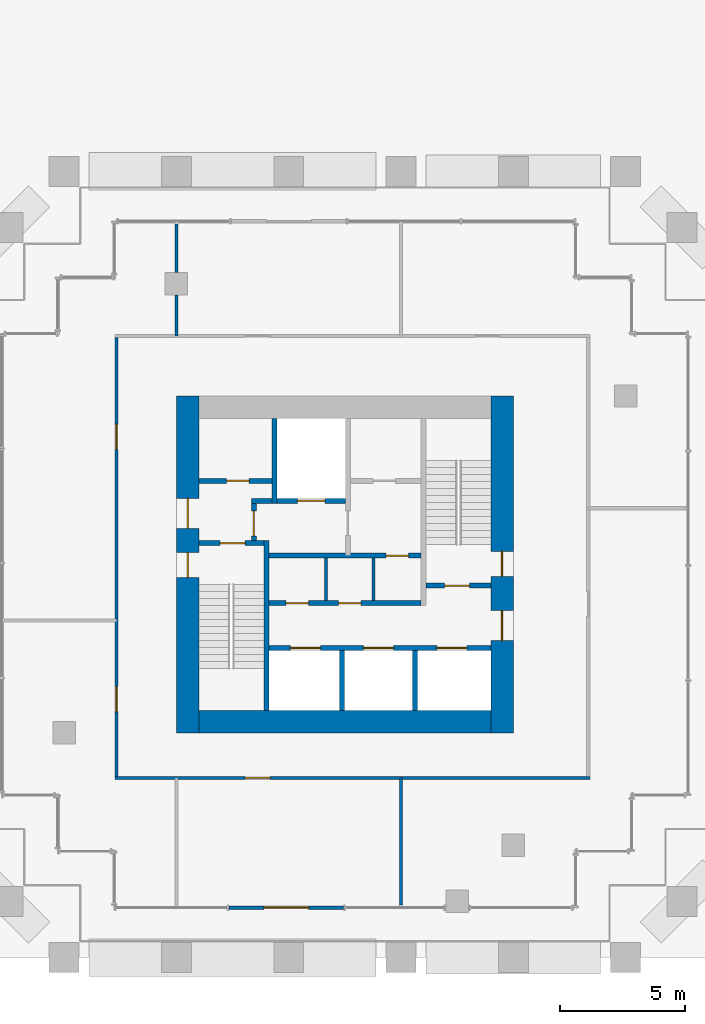
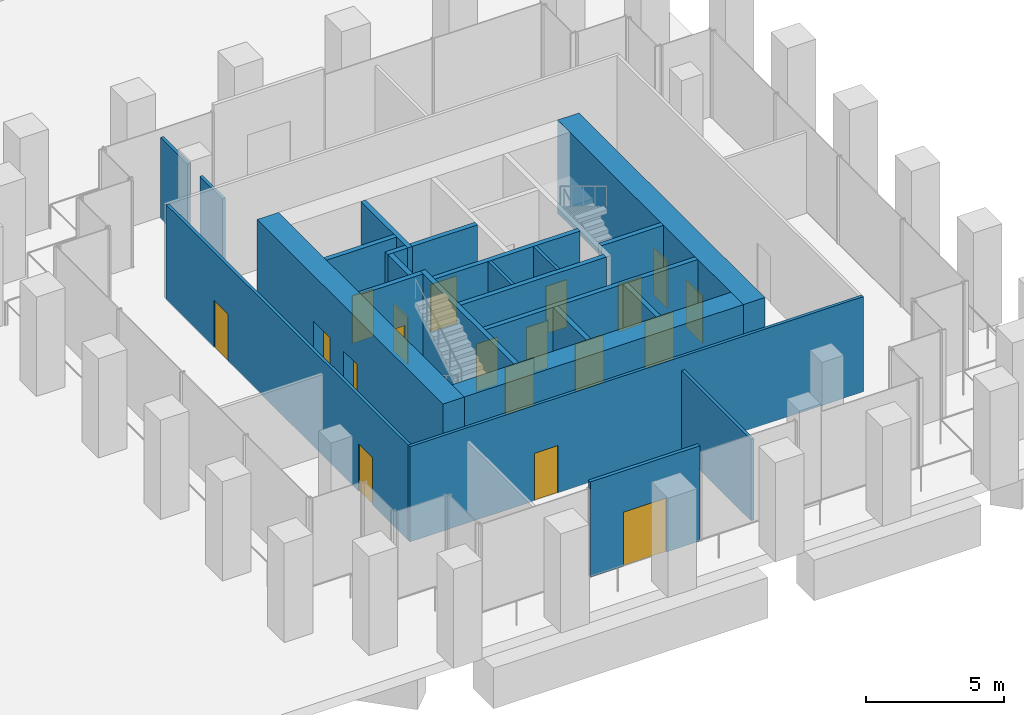
# One storey, part 28 of 32: 24 walls, 19 doors, 19 openings.
"""IFC4 building model written with IfcOpenShell, lengths in metres."""

from ifc_helpers import new_model, si_unit, direction, frame, frame_2d, origin, place, context, subcontext, project, spatial, rectangle, extrude, material, layer, layer_set, type_object, element, fill, save


model = new_model("IFC4")

# Units and contexts
model_context = context("Model", 3, precision=1e-05, world=origin(), true_north=direction((0.0, 1.0)))
body_context = subcontext(model_context, "Body", "Model", "MODEL_VIEW")
ifc_project = project(units=[si_unit("LENGTHUNIT", "METRE"), si_unit("AREAUNIT", "SQUARE_METRE"), si_unit("VOLUMEUNIT", "CUBIC_METRE"), si_unit("PLANEANGLEUNIT", "RADIAN"), si_unit("MASSUNIT", "GRAM", prefix="KILO")], contexts=[model_context])

# Site, building, storey
site_placement = place(None, origin())
site = spatial("IfcSite", under=ifc_project, at=site_placement, CompositionType="ELEMENT")
building_placement = place(site_placement, origin())
building = spatial("IfcBuilding", under=site, at=building_placement, Name="Altepetl Exchange Towers", CompositionType="ELEMENT")
storey_placement = place(building_placement, frame((0.0, 0.0, 21.0)))
storey = spatial("IfcBuildingStorey", under=building, at=storey_placement, Name="L04", CompositionType="ELEMENT", Elevation=21.0)

# Wall, openings, doors
ifc_material_1 = material(Name="Concrete C70/85", Category="concrete")
ifc_layer_1 = layer(ifc_material_1, 0.89990234375)
ifc_layer_set_1 = layer_set([ifc_layer_1], Name="Concrete C70/85")
wall_type_1 = type_object("IfcWallType", Name="Core wall 900 reinforced concrete", PredefinedType="SHEAR", material=ifc_layer_set_1)
wall_1_placement = place(storey_placement, frame((116.550048828125, 36.0, 0.0), z_axis=(0.0, 0.0, 1.0), x_axis=(0.0, 1.0, 0.0)))
wall_1 = element("IfcWall", 1, at=wall_1_placement, inside=storey, type_object=wall_type_1, Name="wall:B:L04:K-coreE", PredefinedType="SHEAR", context=body_context, shape_type="SweptSolid", body=[
    extrude(rectangle(XDim=13.5, YDim=0.89990234375, at=frame_2d((6.75, 0.0))), origin(), (0.0, 0.0, 1.0), 4.125),
])
opening_1_placement = place(wall_1_placement, frame((3.699951171875, 0.0, 0.0)))
opening_1 = element("IfcOpeningElement", 2, at=opening_1_placement, cuts=wall_1, Name="Opening L04.B61", PredefinedType="OPENING", context=body_context, shape_type="SweptSolid", body=[
    extrude(rectangle(XDim=1.199951171875, YDim=2.10009765625, at=frame_2d((0.60009765625, 1.050048828125))), frame((0.0, 0.4599609375, 0.0), z_axis=(0.0, -1.0, 0.0), x_axis=(1.0, 0.0, 0.0)), (0.0, 0.0, 1.0), 0.919921875),
])
opening_2_placement = place(wall_1_placement, frame((6.27490234375, 0.0, 0.0)))
opening_2 = element("IfcOpeningElement", 3, at=opening_2_placement, cuts=wall_1, Name="Opening L04.B65", PredefinedType="OPENING", context=body_context, shape_type="SweptSolid", body=[
    extrude(rectangle(XDim=1.0, YDim=2.10009765625, at=frame_2d((0.5, 1.050048828125))), frame((0.0, 0.4599609375, 0.0), z_axis=(0.0, -1.0, 0.0), x_axis=(1.0, 0.0, 0.0)), (0.0, 0.0, 1.0), 0.919921875),
])
ifc_material_2 = material(Name="Steel and timber fire door", Category="steel")
door_type_1 = type_object("IfcDoorType", Name="Fire door 1000 x 2100 stair and lobby", OperationType="SINGLE_SWING_LEFT", PredefinedType="DOOR", material=ifc_material_2)
door_1_placement = place(opening_2_placement, origin())
door_1 = element("IfcDoor", 4, at=door_1_placement, inside=storey, type_object=door_type_1, Name="door:B:L04:K-dS2x", OperationType="SINGLE_SWING_LEFT", OverallHeight=2.10009765625, OverallWidth=1.0, PredefinedType="DOOR", context=body_context, shape_type="SweptSolid", body=[
    extrude(rectangle(XDim=1.0, YDim=2.10009765625, at=frame_2d((0.5, 1.050048828125))), frame((0.0, 0.02490234375, 0.0), z_axis=(0.0, -1.0, 0.0), x_axis=(1.0, 0.0, 0.0)), (0.0, 0.0, 1.0), 0.050048828125),
])
fill(opening_2, door_1)
door_type_2 = type_object("IfcDoorType", Name="Fire door 1200 x 2100 lobby entry", OperationType="SINGLE_SWING_LEFT", PredefinedType="DOOR", material=ifc_material_2)
door_2_placement = place(opening_1_placement, origin())
door_2 = element("IfcDoor", 5, at=door_2_placement, inside=storey, type_object=door_type_2, Name="door:B:L04:K-dLSE", OperationType="SINGLE_SWING_RIGHT", OverallHeight=2.10009765625, OverallWidth=1.199951171875, PredefinedType="DOOR", context=body_context, shape_type="SweptSolid", body=[
    extrude(rectangle(XDim=1.199951171875, YDim=2.10009765625, at=frame_2d((0.60009765625, 1.050048828125))), frame((0.0, 0.02490234375, 0.0), z_axis=(0.0, -1.0, 0.0), x_axis=(1.0, 0.0, 0.0)), (0.0, 0.0, 1.0), 0.050048828125),
])
fill(opening_1, door_2)

# Wall
wall_2_placement = place(storey_placement, frame((104.39990234375, 36.449951171875, 0.0)))
element("IfcWall", 6, at=wall_2_placement, inside=storey, type_object=wall_type_1, Name="wall:B:L04:K-coreS", PredefinedType="SHEAR", context=body_context, shape_type="SweptSolid", body=[
    extrude(rectangle(XDim=11.7001953125, YDim=0.89990234375, at=frame_2d((5.85009765625, 0.0))), origin(), (0.0, 0.0, 1.0), 4.125),
])

# Wall, openings, doors
wall_3_placement = place(storey_placement, frame((103.949951171875, 36.0, 0.0), z_axis=(0.0, 0.0, 1.0), x_axis=(0.0, 1.0, 0.0)))
wall_3 = element("IfcWall", 7, at=wall_3_placement, inside=storey, type_object=wall_type_1, Name="wall:B:L04:K-coreW", PredefinedType="SHEAR", context=body_context, shape_type="SweptSolid", body=[
    extrude(rectangle(XDim=13.5, YDim=0.89990234375, at=frame_2d((6.75, 0.0))), origin(), (0.0, 0.0, 1.0), 4.125),
])
opening_3_placement = place(wall_3_placement, frame((8.199951171875, 0.0, 0.0)))
opening_3 = element("IfcOpeningElement", 8, at=opening_3_placement, cuts=wall_3, Name="Opening L04.B60", PredefinedType="OPENING", context=body_context, shape_type="SweptSolid", body=[
    extrude(rectangle(XDim=1.199951171875, YDim=2.10009765625, at=frame_2d((0.60009765625, 1.050048828125))), frame((0.0, 0.4599609375, 0.0), z_axis=(0.0, -1.0, 0.0), x_axis=(1.0, 0.0, 0.0)), (0.0, 0.0, 1.0), 0.919921875),
])
opening_4_placement = place(wall_3_placement, frame((6.22509765625, 0.0, 0.0)))
opening_4 = element("IfcOpeningElement", 9, at=opening_4_placement, cuts=wall_3, Name="Opening L04.B63", PredefinedType="OPENING", context=body_context, shape_type="SweptSolid", body=[
    extrude(rectangle(XDim=1.0, YDim=2.10009765625, at=frame_2d((0.5, 1.050048828125))), frame((0.0, 0.4599609375, 0.0), z_axis=(0.0, -1.0, 0.0), x_axis=(1.0, 0.0, 0.0)), (0.0, 0.0, 1.0), 0.919921875),
])
door_3_placement = place(opening_4_placement, frame((1.0, 0.0, 0.0), x_axis=(-1.0, 0.0, 0.0)))
door_3 = element("IfcDoor", 10, at=door_3_placement, inside=storey, type_object=door_type_1, Name="door:B:L04:K-dS1x", OperationType="SINGLE_SWING_RIGHT", OverallHeight=2.10009765625, OverallWidth=1.0, PredefinedType="DOOR", context=body_context, shape_type="SweptSolid", body=[
    extrude(rectangle(XDim=1.0, YDim=2.10009765625, at=frame_2d((0.5, 1.050048828125))), frame((0.0, 0.02490234375, 0.0), z_axis=(0.0, -1.0, 0.0), x_axis=(1.0, 0.0, 0.0)), (0.0, 0.0, 1.0), 0.050048828125),
])
fill(opening_4, door_3)
door_4_placement = place(opening_3_placement, frame((1.199951171875, 0.0, 0.0), x_axis=(-1.0, 0.0, 0.0)))
door_4 = element("IfcDoor", 11, at=door_4_placement, inside=storey, type_object=door_type_2, Name="door:B:L04:K-dLNW", OperationType="SINGLE_SWING_RIGHT", OverallHeight=2.10009765625, OverallWidth=1.199951171875, PredefinedType="DOOR", context=body_context, shape_type="SweptSolid", body=[
    extrude(rectangle(XDim=1.199951171875, YDim=2.10009765625, at=frame_2d((0.60009765625, 1.050048828125))), frame((0.0, 0.02490234375, 0.0), z_axis=(0.0, -1.0, 0.0), x_axis=(1.0, 0.0, 0.0)), (0.0, 0.0, 1.0), 0.050048828125),
])
fill(opening_3, door_4)

# Wall, opening, door
ifc_material_3 = material(Name="Aluminium composite cladding", Category="aluminium")
ifc_layer_2 = layer(ifc_material_3, 0.14990234375)
ifc_layer_set_2 = layer_set([ifc_layer_2], Name="Aluminium composite cladding")
wall_type_2 = type_object("IfcWallType", Name="Infill wall 150 aluminium panel", PredefinedType="SOLIDWALL", material=ifc_layer_set_2)
wall_4_placement = place(storey_placement, frame((105.60009765625, 29.0, 0.0)))
wall_4 = element("IfcWall", 12, at=wall_4_placement, inside=storey, type_object=wall_type_2, Name="Loggia door bay wall", PredefinedType="SOLIDWALL", context=body_context, shape_type="SweptSolid", body=[
    extrude(rectangle(XDim=4.599853515625, YDim=0.14990234375, at=frame_2d((2.2998046875, 0.0))), origin(), (0.0, 0.0, 1.0), 4.22509765625),
])
opening_5_placement = place(wall_4_placement, frame((1.39990234375, 0.0, 0.0)))
opening_5 = element("IfcOpeningElement", 13, at=opening_5_placement, cuts=wall_4, Name="Opening L04.B90", PredefinedType="OPENING", context=body_context, shape_type="SweptSolid", body=[
    extrude(rectangle(XDim=1.800048828125, YDim=2.39990234375, at=frame_2d((0.89990234375, 1.199951171875))), frame((0.0, 0.0849609375, 0.0), z_axis=(0.0, -1.0, 0.0), x_axis=(1.0, 0.0, 0.0)), (0.0, 0.0, 1.0), 0.169921875),
])
ifc_material_4 = material(Name="Aluminium 6063-T6 and glass", Category="aluminium")
door_type_3 = type_object("IfcDoorType", Name="Glazed door pair 1800x2400", OperationType="DOUBLE_DOOR_DOUBLE_SWING", PredefinedType="NOTDEFINED", material=ifc_material_4)
door_5_placement = place(opening_5_placement, frame((1.800048828125, 0.0, 0.0), x_axis=(-1.0, 0.0, 0.0)))
door_5 = element("IfcDoor", 14, at=door_5_placement, inside=storey, type_object=door_type_3, Name="Loggia door", OperationType="DOUBLE_DOOR_DOUBLE_SWING", OverallHeight=2.39990234375, OverallWidth=1.800048828125, PredefinedType="NOTDEFINED", context=body_context, shape_type="SweptSolid", body=[
    extrude(rectangle(XDim=1.800048828125, YDim=2.39990234375, at=frame_2d((0.89990234375, 1.199951171875))), frame((0.0, 0.02490234375, 0.0), z_axis=(0.0, -1.0, 0.0), x_axis=(1.0, 0.0, 0.0)), (0.0, 0.0, 1.0), 0.050048828125),
])
fill(opening_5, door_5)

# Wall
ifc_material_5 = material(Name="Concrete blockwork", Category="masonry")
ifc_layer_3 = layer(ifc_material_5, 0.199951171875)
ifc_layer_set_3 = layer_set([ifc_layer_3], Name="Concrete blockwork")
wall_type_3 = type_object("IfcWallType", Name="Lobby wall 200 blockwork", PredefinedType="PARTITIONING", material=ifc_layer_set_3)
wall_5_placement = place(storey_placement, frame((106.5, 45.300048828125, 0.0)))
element("IfcWall", 15, at=wall_5_placement, inside=storey, type_object=wall_type_3, Name="wall:B:L04:K-ffNw", PredefinedType="PARTITIONING", context=body_context, shape_type="SweptSolid", body=[
    extrude(rectangle(XDim=0.833251953125, YDim=0.199951171875, at=frame_2d((0.41650390625, 0.0))), origin(), (0.0, 0.0, 1.0), 4.125),
])

# Wall, opening, door
wall_6_placement = place(storey_placement, frame((106.60009765625, 43.699951171875, 0.0), z_axis=(0.0, 0.0, 1.0), x_axis=(0.0, 1.0, 0.0)))
wall_6 = element("IfcWall", 16, at=wall_6_placement, inside=storey, type_object=wall_type_3, Name="wall:B:L04:K-ffW", PredefinedType="PARTITIONING", context=body_context, shape_type="SweptSolid", body=[
    extrude(rectangle(XDim=1.5, YDim=0.199951171875, at=frame_2d((0.75, 0.0))), origin(), (0.0, 0.0, 1.0), 4.125),
])
opening_6_placement = place(wall_6_placement, frame((0.199951171875, 0.0, 0.0)))
opening_6 = element("IfcOpeningElement", 17, at=opening_6_placement, cuts=wall_6, Name="Opening L04.B67", PredefinedType="OPENING", context=body_context, shape_type="SweptSolid", body=[
    extrude(rectangle(XDim=1.0, YDim=2.10009765625, at=frame_2d((0.5, 1.050048828125))), frame((0.0, 0.10986328125, 0.0), z_axis=(0.0, -1.0, 0.0), x_axis=(1.0, 0.0, 0.0)), (0.0, 0.0, 1.0), 0.219970703125),
])
door_6_placement = place(opening_6_placement, frame((1.0, 0.0, 0.0), x_axis=(-1.0, 0.0, 0.0)))
door_6 = element("IfcDoor", 18, at=door_6_placement, inside=storey, type_object=door_type_1, Name="door:B:L04:K-dffW", OperationType="SINGLE_SWING_LEFT", OverallHeight=2.10009765625, OverallWidth=1.0, PredefinedType="DOOR", context=body_context, shape_type="SweptSolid", body=[
    extrude(rectangle(XDim=1.0, YDim=2.10009765625, at=frame_2d((0.5, 1.050048828125))), frame((0.0, 0.02490234375, 0.0), z_axis=(0.0, -1.0, 0.0), x_axis=(1.0, 0.0, 0.0)), (0.0, 0.0, 1.0), 0.050048828125),
])
fill(opening_6, door_6)

wall_7_placement = place(storey_placement, frame((107.199951171875, 43.10009765625, 0.0)))
wall_7 = element("IfcWall", 19, at=wall_7_placement, inside=storey, type_object=wall_type_3, Name="wall:B:L04:K-zoneN", PredefinedType="PARTITIONING", context=body_context, shape_type="SweptSolid", body=[
    extrude(rectangle(XDim=6.10009765625, YDim=0.199951171875, at=frame_2d((3.050048828125, 0.0))), origin(), (0.0, 0.0, 1.0), 4.125),
])
opening_7_placement = place(wall_7_placement, frame((4.699951171875, 0.0, 0.0)))
opening_7 = element("IfcOpeningElement", 20, at=opening_7_placement, cuts=wall_7, Name="Opening L04.B72", PredefinedType="OPENING", context=body_context, shape_type="SweptSolid", body=[
    extrude(rectangle(XDim=0.89990234375, YDim=2.10009765625, at=frame_2d((0.449951171875, 1.050048828125))), frame((0.0, 0.10986328125, 0.0), z_axis=(0.0, -1.0, 0.0), x_axis=(1.0, 0.0, 0.0)), (0.0, 0.0, 1.0), 0.219970703125),
])
door_type_4 = type_object("IfcDoorType", Name="Fire door 900 x 2100 service room", OperationType="SINGLE_SWING_LEFT", PredefinedType="DOOR", material=ifc_material_2)
door_7_placement = place(opening_7_placement, frame((0.89990234375, 0.0, 0.0), x_axis=(-1.0, 0.0, 0.0)))
door_7 = element("IfcDoor", 21, at=door_7_placement, inside=storey, type_object=door_type_4, Name="door:B:L04:K-dz3", OperationType="SINGLE_SWING_RIGHT", OverallHeight=2.10009765625, OverallWidth=0.89990234375, PredefinedType="DOOR", context=body_context, shape_type="SweptSolid", body=[
    extrude(rectangle(XDim=0.89990234375, YDim=2.10009765625, at=frame_2d((0.449951171875, 1.050048828125))), frame((0.0, 0.02490234375, 0.0), z_axis=(0.0, -1.0, 0.0), x_axis=(1.0, 0.0, 0.0)), (0.0, 0.0, 1.0), 0.050048828125),
])
fill(opening_7, door_7)

# Wall, openings, doors
wall_8_placement = place(storey_placement, frame((107.199951171875, 41.199951171875, 0.0)))
wall_8 = element("IfcWall", 22, at=wall_8_placement, inside=storey, type_object=wall_type_3, Name="wall:B:L04:K-zoneS", PredefinedType="PARTITIONING", context=body_context, shape_type="SweptSolid", body=[
    extrude(rectangle(XDim=6.10009765625, YDim=0.199951171875, at=frame_2d((3.050048828125, 0.0))), origin(), (0.0, 0.0, 1.0), 4.125),
])
opening_8_placement = place(wall_8_placement, frame((0.699951171875, 0.0, 0.0)))
opening_8 = element("IfcOpeningElement", 23, at=opening_8_placement, cuts=wall_8, Name="Opening L04.B70", PredefinedType="OPENING", context=body_context, shape_type="SweptSolid", body=[
    extrude(rectangle(XDim=0.89990234375, YDim=2.10009765625, at=frame_2d((0.449951171875, 1.050048828125))), frame((0.0, 0.10986328125, 0.0), z_axis=(0.0, -1.0, 0.0), x_axis=(1.0, 0.0, 0.0)), (0.0, 0.0, 1.0), 0.219970703125),
])
opening_9_placement = place(wall_8_placement, frame((2.800048828125, 0.0, 0.0)))
opening_9 = element("IfcOpeningElement", 24, at=opening_9_placement, cuts=wall_8, Name="Opening L04.B71", PredefinedType="OPENING", context=body_context, shape_type="SweptSolid", body=[
    extrude(rectangle(XDim=0.89990234375, YDim=2.10009765625, at=frame_2d((0.449951171875, 1.050048828125))), frame((0.0, 0.10986328125, 0.0), z_axis=(0.0, -1.0, 0.0), x_axis=(1.0, 0.0, 0.0)), (0.0, 0.0, 1.0), 0.219970703125),
])
door_8_placement = place(opening_8_placement, origin())
door_8 = element("IfcDoor", 25, at=door_8_placement, inside=storey, type_object=door_type_4, Name="door:B:L04:K-dz1", OperationType="SINGLE_SWING_RIGHT", OverallHeight=2.10009765625, OverallWidth=0.89990234375, PredefinedType="DOOR", context=body_context, shape_type="SweptSolid", body=[
    extrude(rectangle(XDim=0.89990234375, YDim=2.10009765625, at=frame_2d((0.449951171875, 1.050048828125))), frame((0.0, 0.02490234375, 0.0), z_axis=(0.0, -1.0, 0.0), x_axis=(1.0, 0.0, 0.0)), (0.0, 0.0, 1.0), 0.050048828125),
])
fill(opening_8, door_8)
door_9_placement = place(opening_9_placement, origin())
door_9 = element("IfcDoor", 26, at=door_9_placement, inside=storey, type_object=door_type_4, Name="door:B:L04:K-dz2", OperationType="SINGLE_SWING_RIGHT", OverallHeight=2.10009765625, OverallWidth=0.89990234375, PredefinedType="DOOR", context=body_context, shape_type="SweptSolid", body=[
    extrude(rectangle(XDim=0.89990234375, YDim=2.10009765625, at=frame_2d((0.449951171875, 1.050048828125))), frame((0.0, 0.02490234375, 0.0), z_axis=(0.0, -1.0, 0.0), x_axis=(1.0, 0.0, 0.0)), (0.0, 0.0, 1.0), 0.050048828125),
])
fill(opening_9, door_9)

# Walls
ifc_material_6 = material(Name="Gypsum board on steel studs", Category="steel")
ifc_layer_4 = layer(ifc_material_6, 0.125)
ifc_layer_set_4 = layer_set([ifc_layer_4], Name="Gypsum board on steel studs")
wall_type_4 = type_object("IfcWallType", Name="Partition 125 gypsum board on steel studs", PredefinedType="PARTITIONING", material=ifc_layer_set_4)
for number, where, z_axis, x_axis, name in (
    (27, (109.5, 41.300048828125, 0.0), (0.0, 0.0, 1.0), (0.0, 1.0, 0.0), "wall:B:L04:K-zp1"),
    (28, (111.39990234375, 41.300048828125, 0.0), (0.0, 0.0, 1.0), (0.0, 1.0, 0.0), "wall:B:L04:K-zp2"),
):
    element("IfcWall", number, at=place(storey_placement, frame(where, z_axis=z_axis, x_axis=x_axis)), inside=storey, type_object=wall_type_4, Name=name, PredefinedType="PARTITIONING", context=body_context, shape_type="SweptSolid", body=[
        extrude(rectangle(XDim=1.699951171875, YDim=0.125, at=frame_2d((0.85009765625, 0.0))), origin(), (0.0, 0.0, 1.0), 4.125),
    ])

# Wall, opening, door
wall_9_placement = place(storey_placement, frame((101.03759765625, 34.199951171875, 0.0)))
wall_9 = element("IfcWall", 29, at=wall_9_placement, inside=storey, type_object=wall_type_4, Name="wall:B:L04:P01", PredefinedType="PARTITIONING", context=body_context, shape_type="SweptSolid", body=[
    extrude(rectangle(XDim=19.02490234375, YDim=0.125, at=frame_2d((9.512451171875, 0.0))), origin(), (0.0, 0.0, 1.0), 4.22509765625),
])
opening_10_placement = place(wall_9_placement, frame((5.219482421875, 0.0, 0.0)))
opening_10 = element("IfcOpeningElement", 30, at=opening_10_placement, cuts=wall_9, Name="Opening L04.B02", PredefinedType="OPENING", context=body_context, shape_type="SweptSolid", body=[
    extrude(rectangle(XDim=1.0, YDim=2.10009765625, at=frame_2d((0.5, 1.050048828125))), frame((0.0, 0.072509765625, 0.0), z_axis=(0.0, -1.0, 0.0), x_axis=(1.0, 0.0, 0.0)), (0.0, 0.0, 1.0), 0.14501953125),
])
door_type_5 = type_object("IfcDoorType", Name="Fire door 1000 x 2100 single leaf", OperationType="SINGLE_SWING_LEFT", PredefinedType="DOOR", material=ifc_material_2)
door_10_placement = place(opening_10_placement, frame((1.0, 0.0, 0.0), x_axis=(-1.0, 0.0, 0.0)))
door_10 = element("IfcDoor", 31, at=door_10_placement, inside=storey, type_object=door_type_5, Name="door:B:L04:02", OperationType="SINGLE_SWING_RIGHT", OverallHeight=2.10009765625, OverallWidth=1.0, PredefinedType="DOOR", context=body_context, shape_type="SweptSolid", body=[
    extrude(rectangle(XDim=1.0, YDim=2.10009765625, at=frame_2d((0.5, 1.050048828125))), frame((0.0, 0.02490234375, 0.0), z_axis=(0.0, -1.0, 0.0), x_axis=(1.0, 0.0, 0.0)), (0.0, 0.0, 1.0), 0.050048828125),
])
fill(opening_10, door_10)

# Wall, openings, doors
wall_10_placement = place(storey_placement, frame((101.10009765625, 34.262451171875, 0.0), z_axis=(0.0, 0.0, 1.0), x_axis=(0.0, 1.0, 0.0)))
wall_10 = element("IfcWall", 32, at=wall_10_placement, inside=storey, type_object=wall_type_4, Name="wall:B:L04:P05", PredefinedType="PARTITIONING", context=body_context, shape_type="SweptSolid", body=[
    extrude(rectangle(XDim=17.574951171875, YDim=0.125, at=frame_2d((8.78759765625, 0.0))), origin(), (0.0, 0.0, 1.0), 4.22509765625),
])
opening_11_placement = place(wall_10_placement, frame((2.58740234375, 0.0, 0.0)))
opening_11 = element("IfcOpeningElement", 33, at=opening_11_placement, cuts=wall_10, Name="Opening L04.B01", PredefinedType="OPENING", context=body_context, shape_type="SweptSolid", body=[
    extrude(rectangle(XDim=1.0, YDim=2.10009765625, at=frame_2d((0.5, 1.050048828125))), frame((0.0, 0.072509765625, 0.0), z_axis=(0.0, -1.0, 0.0), x_axis=(1.0, 0.0, 0.0)), (0.0, 0.0, 1.0), 0.14501953125),
])
opening_12_placement = place(wall_10_placement, frame((13.1005859375, 0.0, 0.0)))
opening_12 = element("IfcOpeningElement", 34, at=opening_12_placement, cuts=wall_10, Name="Opening L04.B06", PredefinedType="OPENING", context=body_context, shape_type="SweptSolid", body=[
    extrude(rectangle(XDim=1.0, YDim=2.10009765625, at=frame_2d((0.5, 1.050048828125))), frame((0.0, 0.072509765625, 0.0), z_axis=(0.0, -1.0, 0.0), x_axis=(1.0, 0.0, 0.0)), (0.0, 0.0, 1.0), 0.14501953125),
])
door_11_placement = place(opening_11_placement, origin())
door_11 = element("IfcDoor", 35, at=door_11_placement, inside=storey, type_object=door_type_5, Name="door:B:L04:01", OperationType="SINGLE_SWING_RIGHT", OverallHeight=2.10009765625, OverallWidth=1.0, PredefinedType="DOOR", context=body_context, shape_type="SweptSolid", body=[
    extrude(rectangle(XDim=1.0, YDim=2.10009765625, at=frame_2d((0.5, 1.050048828125))), frame((0.0, 0.02490234375, 0.0), z_axis=(0.0, -1.0, 0.0), x_axis=(1.0, 0.0, 0.0)), (0.0, 0.0, 1.0), 0.050048828125),
])
fill(opening_11, door_11)
door_12_placement = place(opening_12_placement, origin())
door_12 = element("IfcDoor", 36, at=door_12_placement, inside=storey, type_object=door_type_5, Name="door:B:L04:06", OperationType="SINGLE_SWING_LEFT", OverallHeight=2.10009765625, OverallWidth=1.0, PredefinedType="DOOR", context=body_context, shape_type="SweptSolid", body=[
    extrude(rectangle(XDim=1.0, YDim=2.10009765625, at=frame_2d((0.5, 1.050048828125))), frame((0.0, 0.02490234375, 0.0), z_axis=(0.0, -1.0, 0.0), x_axis=(1.0, 0.0, 0.0)), (0.0, 0.0, 1.0), 0.050048828125),
])
fill(opening_12, door_12)

# Walls
wall_11_placement = place(storey_placement, frame((103.5, 51.89990234375, 0.0), z_axis=(0.0, 0.0, 1.0), x_axis=(0.0, 1.0, 0.0)))
element("IfcWall", 37, at=wall_11_placement, inside=storey, type_object=wall_type_4, Name="wall:B:L04:P07", PredefinedType="PARTITIONING", context=body_context, shape_type="SweptSolid", body=[
    extrude(rectangle(XDim=1.650146484375, YDim=0.125, at=frame_2d((0.8251953125, 0.0))), origin(), (0.0, 0.0, 1.0), 3.60205078125),
])
wall_12_placement = place(storey_placement, frame((103.5, 54.449951171875, 0.0), z_axis=(0.0, 0.0, 1.0), x_axis=(0.0, 1.0, 0.0)))
element("IfcWall", 38, at=wall_12_placement, inside=storey, type_object=wall_type_4, Name="wall:B:L04:P08", PredefinedType="PARTITIONING", context=body_context, shape_type="SweptSolid", body=[
    extrude(rectangle(XDim=1.949951171875, YDim=0.125, at=frame_2d((0.97509765625, 0.0))), origin(), (0.0, 0.0, 1.0), 3.60205078125),
])
wall_13_placement = place(storey_placement, frame((112.5, 29.10009765625, 0.0), z_axis=(0.0, 0.0, 1.0), x_axis=(0.0, 1.0, 0.0)))
element("IfcWall", 39, at=wall_13_placement, inside=storey, type_object=wall_type_4, Name="wall:B:L04:P09", PredefinedType="PARTITIONING", context=body_context, shape_type="SweptSolid", body=[
    extrude(rectangle(XDim=5.099853515625, YDim=0.125, at=frame_2d((2.5498046875, 0.0))), origin(), (0.0, 0.0, 1.0), 3.613037109375),
])
ifc_material_7 = material(Name="Concrete C40/50", Category="concrete")
ifc_layer_5 = layer(ifc_material_7, 0.199951171875)
ifc_layer_set_5 = layer_set([ifc_layer_5], Name="Concrete C40/50")
wall_type_5 = type_object("IfcWallType", Name="Shaft wall 200 reinforced concrete", PredefinedType="SHEAR", material=ifc_layer_set_5)
wall_14_placement = place(storey_placement, frame((107.433349609375, 48.60009765625, 0.0), z_axis=(0.0, 0.0, 1.0), x_axis=(0.0, -1.0, 0.0)))
element("IfcWall", 40, at=wall_14_placement, inside=storey, type_object=wall_type_5, Name="wall:B:L04:K-divN1", PredefinedType="SHEAR", context=body_context, shape_type="SweptSolid", body=[
    extrude(rectangle(XDim=3.400146484375, YDim=0.199951171875, at=frame_2d((1.7001953125, 0.0))), origin(), (0.0, 0.0, 1.0), 4.125),
])
for number, where, z_axis, x_axis, name in (
    (41, (110.13330078125, 36.89990234375, 0.0), (0.0, 0.0, 1.0), (0.0, 1.0, 0.0), "wall:B:L04:K-divS1"),
    (42, (113.066650390625, 36.89990234375, 0.0), (0.0, 0.0, 1.0), (0.0, 1.0, 0.0), "wall:B:L04:K-divS2"),
):
    element("IfcWall", number, at=place(storey_placement, frame(where, z_axis=z_axis, x_axis=x_axis)), inside=storey, type_object=wall_type_5, Name=name, PredefinedType="SHEAR", context=body_context, shape_type="SweptSolid", body=[
        extrude(rectangle(XDim=2.400146484375, YDim=0.199951171875, at=frame_2d((1.2001953125, 0.0))), origin(), (0.0, 0.0, 1.0), 4.125),
    ])

# Wall, opening, door
wall_15_placement = place(storey_placement, frame((104.39990234375, 46.10009765625, 0.0)))
wall_15 = element("IfcWall", 43, at=wall_15_placement, inside=storey, type_object=wall_type_5, Name="wall:B:L04:K-frontNa", PredefinedType="SHEAR", context=body_context, shape_type="SweptSolid", body=[
    extrude(rectangle(XDim=2.933349609375, YDim=0.199951171875, at=frame_2d((1.466796875, 0.0))), origin(), (0.0, 0.0, 1.0), 4.125),
])
opening_13_placement = place(wall_15_placement, frame((1.11669921875, 0.0, 0.0)))
opening_13 = element("IfcOpeningElement", 44, at=opening_13_placement, cuts=wall_15, Name="Opening L04.B68", PredefinedType="OPENING", context=body_context, shape_type="SweptSolid", body=[
    extrude(rectangle(XDim=0.89990234375, YDim=2.10009765625, at=frame_2d((0.449951171875, 1.050048828125))), frame((0.0, 0.10986328125, 0.0), z_axis=(0.0, -1.0, 0.0), x_axis=(1.0, 0.0, 0.0)), (0.0, 0.0, 1.0), 0.219970703125),
])
door_13_placement = place(opening_13_placement, origin())
door_13 = element("IfcDoor", 45, at=door_13_placement, inside=storey, type_object=door_type_4, Name="door:B:L04:K-dslotN0", OperationType="SINGLE_SWING_RIGHT", OverallHeight=2.10009765625, OverallWidth=0.89990234375, PredefinedType="DOOR", context=body_context, shape_type="SweptSolid", body=[
    extrude(rectangle(XDim=0.89990234375, YDim=2.10009765625, at=frame_2d((0.449951171875, 1.050048828125))), frame((0.0, 0.02490234375, 0.0), z_axis=(0.0, -1.0, 0.0), x_axis=(1.0, 0.0, 0.0)), (0.0, 0.0, 1.0), 0.050048828125),
])
fill(opening_13, door_13)

wall_16_placement = place(storey_placement, frame((107.533203125, 45.300048828125, 0.0)))
wall_16 = element("IfcWall", 46, at=wall_16_placement, inside=storey, type_object=wall_type_5, Name="wall:B:L04:K-frontNd", PredefinedType="SHEAR", context=body_context, shape_type="SweptSolid", body=[
    extrude(rectangle(XDim=2.7333984375, YDim=0.199951171875, at=frame_2d((1.36669921875, 0.0))), origin(), (0.0, 0.0, 1.0), 4.125),
])
opening_14_placement = place(wall_16_placement, frame((0.816650390625, 0.0, 0.0)))
opening_14 = element("IfcOpeningElement", 47, at=opening_14_placement, cuts=wall_16, Name="Opening L04.B73", PredefinedType="OPENING", context=body_context, shape_type="SweptSolid", body=[
    extrude(rectangle(XDim=1.10009765625, YDim=2.10009765625, at=frame_2d((0.550048828125, 1.050048828125))), frame((0.0, 0.10986328125, 0.0), z_axis=(0.0, -1.0, 0.0), x_axis=(1.0, 0.0, 0.0)), (0.0, 0.0, 1.0), 0.219970703125),
])
ifc_material_8 = material(Name="Stainless steel", Category="steel")
door_type_6 = type_object("IfcDoorType", Name="Lift landing door 1100 x 2100", OperationType="SLIDING_TO_LEFT", PredefinedType="DOOR", material=ifc_material_8)
door_14_placement = place(opening_14_placement, origin())
door_14 = element("IfcDoor", 48, at=door_14_placement, inside=storey, type_object=door_type_6, Name="Landing door FFL1", OperationType="SLIDING_TO_LEFT", OverallHeight=2.10009765625, OverallWidth=1.10009765625, PredefinedType="DOOR", context=body_context, shape_type="SweptSolid", body=[
    extrude(rectangle(XDim=1.10009765625, YDim=2.10009765625, at=frame_2d((0.550048828125, 1.050048828125))), frame((0.0, 0.02490234375, 0.0), z_axis=(0.0, -1.0, 0.0), x_axis=(1.0, 0.0, 0.0)), (0.0, 0.0, 1.0), 0.050048828125),
])
fill(opening_14, door_14)

# Wall, openings, doors
wall_17_placement = place(storey_placement, frame((107.199951171875, 39.39990234375, 0.0)))
wall_17 = element("IfcWall", 49, at=wall_17_placement, inside=storey, type_object=wall_type_5, Name="wall:B:L04:K-frontS", PredefinedType="SHEAR", context=body_context, shape_type="SweptSolid", body=[
    extrude(rectangle(XDim=8.900146484375, YDim=0.199951171875, at=frame_2d((4.4501953125, 0.0))), origin(), (0.0, 0.0, 1.0), 4.125),
])
opening_15_placement = place(wall_17_placement, frame((0.86669921875, 0.0, 0.0)))
opening_15 = element("IfcOpeningElement", 50, at=opening_15_placement, cuts=wall_17, Name="Opening L04.B74", PredefinedType="OPENING", context=body_context, shape_type="SweptSolid", body=[
    extrude(rectangle(XDim=1.199951171875, YDim=2.10009765625, at=frame_2d((0.60009765625, 1.050048828125))), frame((0.0, 0.10986328125, 0.0), z_axis=(0.0, -1.0, 0.0), x_axis=(1.0, 0.0, 0.0)), (0.0, 0.0, 1.0), 0.219970703125),
])
opening_16_placement = place(wall_17_placement, frame((3.800048828125, 0.0, 0.0)))
opening_16 = element("IfcOpeningElement", 51, at=opening_16_placement, cuts=wall_17, Name="Opening L04.B75", PredefinedType="OPENING", context=body_context, shape_type="SweptSolid", body=[
    extrude(rectangle(XDim=1.199951171875, YDim=2.10009765625, at=frame_2d((0.60009765625, 1.050048828125))), frame((0.0, 0.10986328125, 0.0), z_axis=(0.0, -1.0, 0.0), x_axis=(1.0, 0.0, 0.0)), (0.0, 0.0, 1.0), 0.219970703125),
])
opening_17_placement = place(wall_17_placement, frame((6.7333984375, 0.0, 0.0)))
opening_17 = element("IfcOpeningElement", 52, at=opening_17_placement, cuts=wall_17, Name="Opening L04.B76", PredefinedType="OPENING", context=body_context, shape_type="SweptSolid", body=[
    extrude(rectangle(XDim=1.199951171875, YDim=2.10009765625, at=frame_2d((0.60009765625, 1.050048828125))), frame((0.0, 0.10986328125, 0.0), z_axis=(0.0, -1.0, 0.0), x_axis=(1.0, 0.0, 0.0)), (0.0, 0.0, 1.0), 0.219970703125),
])
door_type_7 = type_object("IfcDoorType", Name="Lift landing door 1200 x 2100", OperationType="SLIDING_TO_LEFT", PredefinedType="DOOR", material=ifc_material_8)
door_15_placement = place(opening_15_placement, origin())
door_15 = element("IfcDoor", 53, at=door_15_placement, inside=storey, type_object=door_type_7, Name="Landing door P1", OperationType="SLIDING_TO_LEFT", OverallHeight=2.10009765625, OverallWidth=1.199951171875, PredefinedType="DOOR", context=body_context, shape_type="SweptSolid", body=[
    extrude(rectangle(XDim=1.199951171875, YDim=2.10009765625, at=frame_2d((0.60009765625, 1.050048828125))), frame((0.0, 0.02490234375, 0.0), z_axis=(0.0, -1.0, 0.0), x_axis=(1.0, 0.0, 0.0)), (0.0, 0.0, 1.0), 0.050048828125),
])
fill(opening_15, door_15)
door_16_placement = place(opening_16_placement, origin())
door_16 = element("IfcDoor", 54, at=door_16_placement, inside=storey, type_object=door_type_7, Name="Landing door P2", OperationType="SLIDING_TO_LEFT", OverallHeight=2.10009765625, OverallWidth=1.199951171875, PredefinedType="DOOR", context=body_context, shape_type="SweptSolid", body=[
    extrude(rectangle(XDim=1.199951171875, YDim=2.10009765625, at=frame_2d((0.60009765625, 1.050048828125))), frame((0.0, 0.02490234375, 0.0), z_axis=(0.0, -1.0, 0.0), x_axis=(1.0, 0.0, 0.0)), (0.0, 0.0, 1.0), 0.050048828125),
])
fill(opening_16, door_16)
door_17_placement = place(opening_17_placement, origin())
door_17 = element("IfcDoor", 55, at=door_17_placement, inside=storey, type_object=door_type_7, Name="Landing door P3", OperationType="SLIDING_TO_LEFT", OverallHeight=2.10009765625, OverallWidth=1.199951171875, PredefinedType="DOOR", context=body_context, shape_type="SweptSolid", body=[
    extrude(rectangle(XDim=1.199951171875, YDim=2.10009765625, at=frame_2d((0.60009765625, 1.050048828125))), frame((0.0, 0.02490234375, 0.0), z_axis=(0.0, -1.0, 0.0), x_axis=(1.0, 0.0, 0.0)), (0.0, 0.0, 1.0), 0.050048828125),
])
fill(opening_17, door_17)

# Wall
ifc_layer_6 = layer(ifc_material_7, 0.199951171875)
ifc_layer_set_6 = layer_set([ifc_layer_6], Name="Concrete C40/50")
wall_type_6 = type_object("IfcWallType", Name="Stair wall 200 reinforced concrete", PredefinedType="SHEAR", material=ifc_layer_set_6)
wall_18_placement = place(storey_placement, frame((107.10009765625, 36.89990234375, 0.0), z_axis=(0.0, 0.0, 1.0), x_axis=(0.0, 1.0, 0.0)))
element("IfcWall", 56, at=wall_18_placement, inside=storey, type_object=wall_type_6, Name="wall:B:L04:K-stS1E", PredefinedType="SHEAR", context=body_context, shape_type="SweptSolid", body=[
    extrude(rectangle(XDim=6.800048828125, YDim=0.199951171875, at=frame_2d((3.39990234375, 0.0))), origin(), (0.0, 0.0, 1.0), 4.125),
])

# Wall, opening, door
wall_19_placement = place(storey_placement, frame((104.39990234375, 43.60009765625, 0.0)))
wall_19 = element("IfcWall", 57, at=wall_19_placement, inside=storey, type_object=wall_type_6, Name="wall:B:L04:K-stS1N", PredefinedType="SHEAR", context=body_context, shape_type="SweptSolid", body=[
    extrude(rectangle(XDim=2.60009765625, YDim=0.199951171875, at=frame_2d((1.300048828125, 0.0))), origin(), (0.0, 0.0, 1.0), 4.125),
])
opening_18_placement = place(wall_19_placement, frame((0.85009765625, 0.0, 0.0)))
opening_18 = element("IfcOpeningElement", 58, at=opening_18_placement, cuts=wall_19, Name="Opening L04.B62", PredefinedType="OPENING", context=body_context, shape_type="SweptSolid", body=[
    extrude(rectangle(XDim=1.0, YDim=2.10009765625, at=frame_2d((0.5, 1.050048828125))), frame((0.0, 0.10986328125, 0.0), z_axis=(0.0, -1.0, 0.0), x_axis=(1.0, 0.0, 0.0)), (0.0, 0.0, 1.0), 0.219970703125),
])
door_18_placement = place(opening_18_placement, frame((1.0, 0.0, 0.0), x_axis=(-1.0, 0.0, 0.0)))
door_18 = element("IfcDoor", 59, at=door_18_placement, inside=storey, type_object=door_type_1, Name="door:B:L04:K-dS1in", OperationType="SINGLE_SWING_LEFT", OverallHeight=2.10009765625, OverallWidth=1.0, PredefinedType="DOOR", context=body_context, shape_type="SweptSolid", body=[
    extrude(rectangle(XDim=1.0, YDim=2.10009765625, at=frame_2d((0.5, 1.050048828125))), frame((0.0, 0.02490234375, 0.0), z_axis=(0.0, -1.0, 0.0), x_axis=(1.0, 0.0, 0.0)), (0.0, 0.0, 1.0), 0.050048828125),
])
fill(opening_18, door_18)

wall_20_placement = place(storey_placement, frame((113.5, 41.89990234375, 0.0)))
wall_20 = element("IfcWall", 60, at=wall_20_placement, inside=storey, type_object=wall_type_6, Name="wall:B:L04:K-stS2S", PredefinedType="SHEAR", context=body_context, shape_type="SweptSolid", body=[
    extrude(rectangle(XDim=2.60009765625, YDim=0.199951171875, at=frame_2d((1.300048828125, 0.0))), origin(), (0.0, 0.0, 1.0), 4.125),
])
opening_19_placement = place(wall_20_placement, frame((0.75, 0.0, 0.0)))
opening_19 = element("IfcOpeningElement", 61, at=opening_19_placement, cuts=wall_20, Name="Opening L04.B64", PredefinedType="OPENING", context=body_context, shape_type="SweptSolid", body=[
    extrude(rectangle(XDim=1.0, YDim=2.10009765625, at=frame_2d((0.5, 1.050048828125))), frame((0.0, 0.10986328125, 0.0), z_axis=(0.0, -1.0, 0.0), x_axis=(1.0, 0.0, 0.0)), (0.0, 0.0, 1.0), 0.219970703125),
])
door_19_placement = place(opening_19_placement, origin())
door_19 = element("IfcDoor", 62, at=door_19_placement, inside=storey, type_object=door_type_1, Name="door:B:L04:K-dS2in", OperationType="SINGLE_SWING_RIGHT", OverallHeight=2.10009765625, OverallWidth=1.0, PredefinedType="DOOR", context=body_context, shape_type="SweptSolid", body=[
    extrude(rectangle(XDim=1.0, YDim=2.10009765625, at=frame_2d((0.5, 1.050048828125))), frame((0.0, 0.02490234375, 0.0), z_axis=(0.0, -1.0, 0.0), x_axis=(1.0, 0.0, 0.0)), (0.0, 0.0, 1.0), 0.050048828125),
])
fill(opening_19, door_19)

save(model, "model.ifc")
